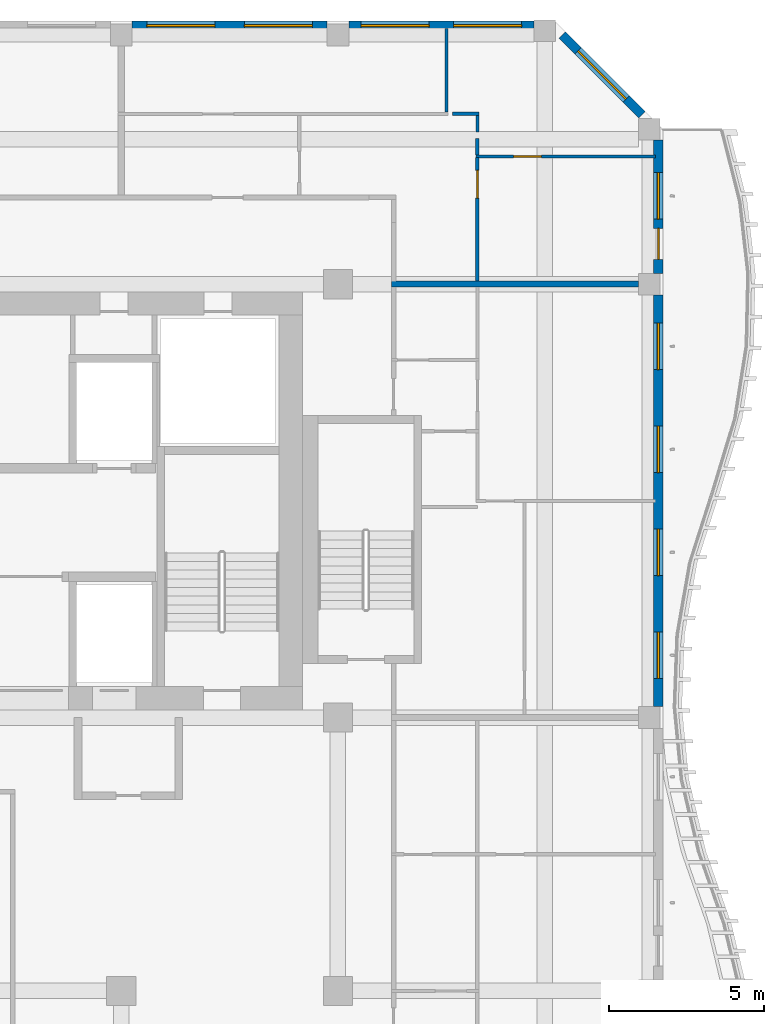
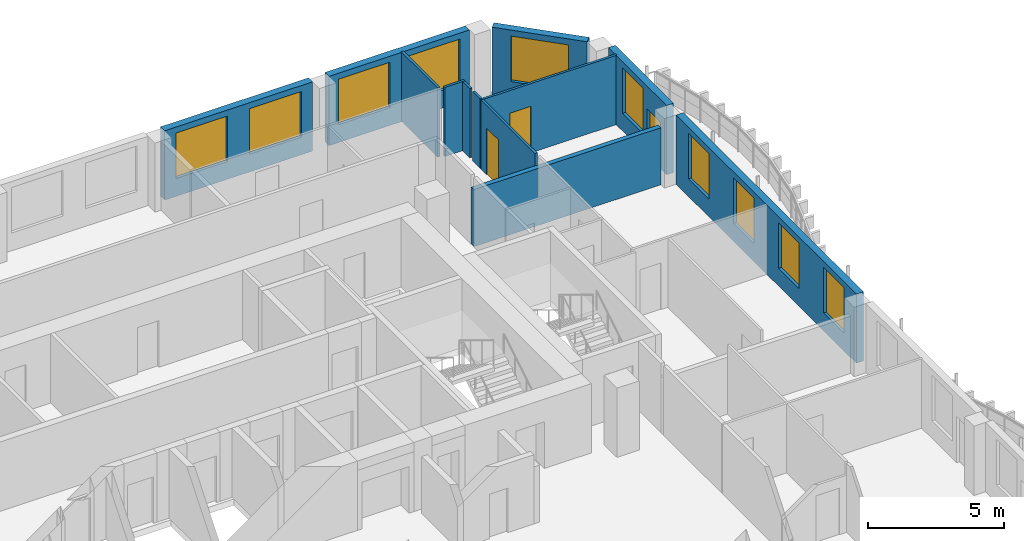
# One storey, part 9 of 19: 12 walls, 10 windows, 3 doors, 13 openings.
"""IFC4 building model written with IfcOpenShell, lengths in metres."""

from ifc_helpers import new_model, si_unit, direction, frame, frame_2d, origin, place, context, subcontext, project, spatial, rectangle, extrude, source, transform, mapped, material, layer, layer_set, type_object, element, fill, save


model = new_model("IFC4")

# Units and contexts
model_context = context("Model", 3, precision=1e-05, world=origin(), true_north=direction((0.0, 1.0)))
body_context = subcontext(model_context, "Body", "Model", "MODEL_VIEW")
ifc_project = project(units=[si_unit("LENGTHUNIT", "METRE"), si_unit("AREAUNIT", "SQUARE_METRE"), si_unit("VOLUMEUNIT", "CUBIC_METRE"), si_unit("PLANEANGLEUNIT", "RADIAN"), si_unit("MASSUNIT", "GRAM", prefix="KILO")], contexts=[model_context])

# Site, building, storey
site_placement = place(None, origin())
site = spatial("IfcSite", under=ifc_project, at=site_placement, CompositionType="ELEMENT")
building_placement = place(site_placement, origin())
building = spatial("IfcBuilding", under=site, at=building_placement, Name="Kilnfold Tower and Market Hall", CompositionType="ELEMENT")
storey_placement = place(building_placement, frame((0.0, 0.0, 245.800048828125)))
storey = spatial("IfcBuildingStorey", under=building, at=storey_placement, Name="L59", CompositionType="ELEMENT", Elevation=245.800048828125)

# Wall, opening, door
ifc_material_1 = material(Name="Gypsum board on steel studs", Category="steel")
ifc_layer_1 = layer(ifc_material_1, 0.10009765625)
ifc_layer_set_1 = layer_set([ifc_layer_1], Name="Gypsum board on steel studs")
wall_type_1 = type_object("IfcWallType", Name="WALL PARTITION 100", PredefinedType="PARTITIONING", material=ifc_layer_set_1)
wall_1_placement = place(storey_placement, frame((23.5, 22.10009765625, 0.0), z_axis=(0.0, 0.0, 1.0), x_axis=(0.0, 1.0, 0.0)))
wall_1 = element("IfcWall", 1, at=wall_1_placement, inside=storey, type_object=wall_type_1, Name="Partition LY36.88", PredefinedType="PARTITIONING", context=body_context, shape_type="SweptSolid", body=[
    extrude(rectangle(XDim=3.98486328125, YDim=0.10009765625, at=frame_2d((1.992431640625, 0.0))), origin(), (0.0, 0.0, 1.0), 3.119873046875),
])
opening_1_placement = place(wall_1_placement, frame((2.677978515625, 0.0, 0.0)))
opening_1 = element("IfcOpeningElement", 2, at=opening_1_placement, cuts=wall_1, Name="Opening D2", PredefinedType="OPENING", context=body_context, shape_type="SweptSolid", body=[
    extrude(rectangle(XDim=0.89990234375, YDim=2.10009765625, at=frame_2d((0.449951171875, 1.050048828125))), frame((0.0, 0.06005859375, 0.0), z_axis=(0.0, -1.0, 0.0), x_axis=(1.0, 0.0, 0.0)), (0.0, 0.0, 1.0), 0.1201171875),
])
ifc_material_2 = material(Name="Timber veneer door leaf in steel frame", Category="steel")
door_type_1 = type_object("IfcDoorType", Name="DOOR ROOM 900 X2100", OperationType="NOTDEFINED", PredefinedType="DOOR", material=ifc_material_2)
door_1_placement = place(opening_1_placement, origin())
door_1 = element("IfcDoor", 3, at=door_1_placement, inside=storey, type_object=door_type_1, Name="Door D2", OperationType="SINGLE_SWING_LEFT", OverallHeight=2.10009765625, OverallWidth=0.89990234375, PredefinedType="DOOR", context=body_context, shape_type="SweptSolid", body=[
    extrude(rectangle(XDim=0.89990234375, YDim=2.10009765625, at=frame_2d((0.449951171875, 1.050048828125))), frame((0.0, 0.02490234375, 0.0), z_axis=(0.0, -1.0, 0.0), x_axis=(1.0, 0.0, 0.0)), (0.0, 0.0, 1.0), 0.050048828125),
])
fill(opening_1, door_1)

# Walls
wall_2_placement = place(storey_placement, frame((23.552001953125, 27.501953125, 0.0), z_axis=(0.0, 0.0, 1.0), x_axis=(-1.0, 0.0, 0.0)))
element("IfcWall", 4, at=wall_2_placement, inside=storey, type_object=wall_type_1, Name="Partition LY36.89", PredefinedType="PARTITIONING", context=body_context, shape_type="SweptSolid", body=[
    extrude(rectangle(XDim=0.85400390625, YDim=0.10009765625, at=frame_2d((0.427001953125, 0.0))), origin(), (0.0, 0.0, 1.0), 3.119873046875),
])
wall_3_placement = place(storey_placement, frame((23.501953125, 26.9169921875, 0.0), z_axis=(0.0, 0.0, 1.0), x_axis=(0.0, 1.0, 0.0)))
element("IfcWall", 5, at=wall_3_placement, inside=storey, type_object=wall_type_1, Name="Partition LY36.90", PredefinedType="PARTITIONING", context=body_context, shape_type="SweptSolid", body=[
    extrude(rectangle(XDim=0.534912109375, YDim=0.10009765625, at=frame_2d((0.267578125, 0.0))), origin(), (0.0, 0.0, 1.0), 3.119873046875),
])
wall_4_placement = place(storey_placement, frame((23.5, 26.1650390625, 0.0), z_axis=(0.0, 0.0, 1.0), x_axis=(0.0, 1.0, 0.0)))
element("IfcWall", 6, at=wall_4_placement, inside=storey, type_object=wall_type_1, Name="Partition LY36.91", PredefinedType="PARTITIONING", context=body_context, shape_type="SweptSolid", body=[
    extrude(rectangle(XDim=0.532958984375, YDim=0.10009765625, at=frame_2d((0.2666015625, 0.0))), origin(), (0.0, 0.0, 1.0), 3.119873046875),
])
wall_5_placement = place(storey_placement, frame((22.5, 27.552001953125, 0.0), z_axis=(0.0, 0.0, 1.0), x_axis=(0.0, 1.0, 0.0)))
element("IfcWall", 7, at=wall_5_placement, inside=storey, type_object=wall_type_1, Name="Partition LY36.92", PredefinedType="PARTITIONING", context=body_context, shape_type="SweptSolid", body=[
    extrude(rectangle(XDim=2.697998046875, YDim=0.10009765625, at=frame_2d((1.34912109375, 0.0))), origin(), (0.0, 0.0, 1.0), 3.119873046875),
])

# Wall, opening, door
wall_6_placement = place(storey_placement, frame((29.25, 26.125, 0.0), z_axis=(0.0, 0.0, 1.0), x_axis=(-1.0, 0.0, 0.0)))
wall_6 = element("IfcWall", 8, at=wall_6_placement, inside=storey, type_object=wall_type_1, Name="Partition LY36.94", PredefinedType="PARTITIONING", context=body_context, shape_type="SweptSolid", body=[
    extrude(rectangle(XDim=5.798095703125, YDim=0.10009765625, at=frame_2d((2.89892578125, 0.0))), origin(), (0.0, 0.0, 1.0), 3.119873046875),
])
opening_2_placement = place(wall_6_placement, frame((3.676025390625, 0.0, 0.0)))
opening_2 = element("IfcOpeningElement", 9, at=opening_2_placement, cuts=wall_6, Name="Opening D2", PredefinedType="OPENING", context=body_context, shape_type="SweptSolid", body=[
    extrude(rectangle(XDim=0.89990234375, YDim=2.10009765625, at=frame_2d((0.449951171875, 1.050048828125))), frame((0.0, 0.06005859375, 0.0), z_axis=(0.0, -1.0, 0.0), x_axis=(1.0, 0.0, 0.0)), (0.0, 0.0, 1.0), 0.1201171875),
])
door_2_placement = place(opening_2_placement, origin())
door_2 = element("IfcDoor", 10, at=door_2_placement, inside=storey, type_object=door_type_1, Name="Door D2", OperationType="SINGLE_SWING_LEFT", OverallHeight=2.10009765625, OverallWidth=0.89990234375, PredefinedType="DOOR", context=body_context, shape_type="SweptSolid", body=[
    extrude(rectangle(XDim=0.89990234375, YDim=2.10009765625, at=frame_2d((0.449951171875, 1.050048828125))), frame((0.0, 0.02490234375, 0.0), z_axis=(0.0, -1.0, 0.0), x_axis=(1.0, 0.0, 0.0)), (0.0, 0.0, 1.0), 0.050048828125),
])
fill(opening_2, door_2)

# Wall
ifc_material_3 = material(Name="Gypsum board on steel studs", Category="steel")
ifc_layer_2 = layer(ifc_material_3, 0.199951171875)
ifc_layer_set_2 = layer_set([ifc_layer_2], Name="Gypsum board on steel studs")
wall_type_2 = type_object("IfcWallType", Name="WALL PARTY 200", PredefinedType="PARTITIONING", material=ifc_layer_set_2)
wall_7_placement = place(storey_placement, frame((20.72705078125, 22.0, 0.0), z_axis=(0.0, 0.0, 1.0), x_axis=(1.0, 0.0, 0.0)))
element("IfcWall", 11, at=wall_7_placement, inside=storey, type_object=wall_type_2, Name="Partition LY36.84", PredefinedType="PARTITIONING", context=body_context, shape_type="SweptSolid", body=[
    extrude(rectangle(XDim=7.972900390625, YDim=0.199951171875, at=frame_2d((3.986328125, 0.0))), origin(), (0.0, 0.0, 1.0), 2.570068359375),
])

# Wall, openings, windows
ifc_material_4 = material(Name="Precast concrete C50/60", Category="concrete")
ifc_layer_3 = layer(ifc_material_4, 0.300048828125)
ifc_layer_set_3 = layer_set([ifc_layer_3], Name="Precast concrete C50/60")
wall_type_3 = type_object("IfcWallType", Name="PRECAST WALL 300", PredefinedType="SOLIDWALL", material=ifc_layer_set_3)
shared_shape_1 = source(origin(), body_context, "Body", "SweptSolid", [
    extrude(rectangle(XDim=6.2998046875, YDim=0.300048828125, at=frame_2d((3.14990234375, 0.0))), origin(), (0.0, 0.0, 1.0), 3.119873046875),
])
wall_8_placement = place(storey_placement, frame((18.64990234375, 30.35009765625, 0.0), z_axis=(0.0, 0.0, 1.0), x_axis=(-1.0, 0.0, 0.0)))
wall_8 = element("IfcWall", 12, at=wall_8_placement, inside=storey, type_object=wall_type_3, Name="External wall L59 N", PredefinedType="SOLIDWALL", context=body_context, shape_type="MappedRepresentation", body=[
    mapped(shared_shape_1, transform((0.0, 0.0, 0.0))),
])
opening_3_placement = place(wall_8_placement, frame((0.47509765625, 0.0, 0.800048828125)))
opening_3 = element("IfcOpeningElement", 13, at=opening_3_placement, cuts=wall_8, Name="Opening W3", PredefinedType="OPENING", context=body_context, shape_type="SweptSolid", body=[
    extrude(rectangle(XDim=2.199951171875, YDim=2.050048828125, at=frame_2d((1.10009765625, 1.02490234375))), frame((0.0, 0.16015625, 0.0), z_axis=(0.0, -1.0, 0.0), x_axis=(1.0, 0.0, 0.0)), (0.0, 0.0, 1.0), 0.320068359375),
])
opening_4_placement = place(wall_8_placement, frame((3.625, 0.0, 0.800048828125)))
opening_4 = element("IfcOpeningElement", 14, at=opening_4_placement, cuts=wall_8, Name="Opening W3", PredefinedType="OPENING", context=body_context, shape_type="SweptSolid", body=[
    extrude(rectangle(XDim=2.199951171875, YDim=2.050048828125, at=frame_2d((1.10009765625, 1.02490234375))), frame((0.0, 0.16015625, 0.0), z_axis=(0.0, -1.0, 0.0), x_axis=(1.0, 0.0, 0.0)), (0.0, 0.0, 1.0), 0.320068359375),
])
ifc_material_5 = material(Name="Aluminium frame and double glazing", Category="aluminium")
window_type_1 = type_object("IfcWindowType", Name="WINDOW W3 2200X2050", PartitioningType="SINGLE_PANEL", PredefinedType="WINDOW", material=ifc_material_5)
window_1_placement = place(opening_3_placement, origin())
window_1 = element("IfcWindow", 15, at=window_1_placement, inside=storey, type_object=window_type_1, Name="Window W3 L59 N-1", OverallHeight=2.050048828125, OverallWidth=2.199951171875, PartitioningType="SINGLE_PANEL", PredefinedType="WINDOW", context=body_context, shape_type="SweptSolid", body=[
    extrude(rectangle(XDim=2.199951171875, YDim=2.050048828125, at=frame_2d((1.10009765625, 1.02490234375))), frame((0.0, 0.030029296875, 0.0), z_axis=(0.0, -1.0, 0.0), x_axis=(1.0, 0.0, 0.0)), (0.0, 0.0, 1.0), 0.06005859375),
])
fill(opening_3, window_1)
window_2_placement = place(opening_4_placement, origin())
window_2 = element("IfcWindow", 16, at=window_2_placement, inside=storey, type_object=window_type_1, Name="Window W3 L59 N-2", OverallHeight=2.050048828125, OverallWidth=2.199951171875, PartitioningType="SINGLE_PANEL", PredefinedType="WINDOW", context=body_context, shape_type="SweptSolid", body=[
    extrude(rectangle(XDim=2.199951171875, YDim=2.050048828125, at=frame_2d((1.10009765625, 1.02490234375))), frame((0.0, 0.030029296875, 0.0), z_axis=(0.0, -1.0, 0.0), x_axis=(1.0, 0.0, 0.0)), (0.0, 0.0, 1.0), 0.06005859375),
])
fill(opening_4, window_2)

# Wall, opening, window
shared_shape_2 = source(origin(), body_context, "Body", "SweptSolid", [
    extrude(rectangle(XDim=3.6416015625, YDim=0.300048828125, at=frame_2d((1.82080078125, 0.0))), origin(), (0.0, 0.0, 1.0), 3.119873046875),
])
wall_9_placement = place(storey_placement, frame((28.81884765625, 27.468994140625, 0.0), z_axis=(0.0, 0.0, 1.0), x_axis=(-0.707106781187, 0.707106781187, 0.0)))
wall_9 = element("IfcWall", 17, at=wall_9_placement, inside=storey, type_object=wall_type_3, Name="External wall L59 NE", PredefinedType="SOLIDWALL", context=body_context, shape_type="MappedRepresentation", body=[
    mapped(shared_shape_2, transform((0.0, 0.0, 0.0))),
])
opening_5_placement = place(wall_9_placement, frame((0.720703125, 0.0, 0.800048828125)))
opening_5 = element("IfcOpeningElement", 18, at=opening_5_placement, cuts=wall_9, Name="Opening W3", PredefinedType="OPENING", context=body_context, shape_type="SweptSolid", body=[
    extrude(rectangle(XDim=2.199951171875, YDim=2.050048828125, at=frame_2d((1.10009765625, 1.02490234375))), frame((0.0, 0.16015625, 0.0), z_axis=(0.0, -1.0, 0.0), x_axis=(1.0, 0.0, 0.0)), (0.0, 0.0, 1.0), 0.320068359375),
])
window_3_placement = place(opening_5_placement, origin())
window_3 = element("IfcWindow", 19, at=window_3_placement, inside=storey, type_object=window_type_1, Name="Window W3 L59 NE-1", OverallHeight=2.050048828125, OverallWidth=2.199951171875, PartitioningType="SINGLE_PANEL", PredefinedType="WINDOW", context=body_context, shape_type="SweptSolid", body=[
    extrude(rectangle(XDim=2.199951171875, YDim=2.050048828125, at=frame_2d((1.10009765625, 1.02490234375))), frame((0.0, 0.030029296875, 0.0), z_axis=(0.0, -1.0, 0.0), x_axis=(1.0, 0.0, 0.0)), (0.0, 0.0, 1.0), 0.06005859375),
])
fill(opening_5, window_3)

# Wall, openings, windows
shared_shape_3 = source(origin(), body_context, "Body", "SweptSolid", [
    extrude(rectangle(XDim=13.2998046875, YDim=0.300048828125, at=frame_2d((6.64990234375, 0.0))), origin(), (0.0, 0.0, 1.0), 3.119873046875),
])
wall_10_placement = place(storey_placement, frame((29.35009765625, 8.35009765625, 0.0), z_axis=(0.0, 0.0, 1.0), x_axis=(0.0, 1.0, 0.0)))
wall_10 = element("IfcWall", 20, at=wall_10_placement, inside=storey, type_object=wall_type_3, Name="External wall L59 E", PredefinedType="SOLIDWALL", context=body_context, shape_type="MappedRepresentation", body=[
    mapped(shared_shape_3, transform((0.0, 0.0, 0.0))),
])
opening_6_placement = place(wall_10_placement, frame((0.91259765625, 0.0, 0.800048828125)))
opening_6 = element("IfcOpeningElement", 21, at=opening_6_placement, cuts=wall_10, Name="Opening W5", PredefinedType="OPENING", context=body_context, shape_type="SweptSolid", body=[
    extrude(rectangle(XDim=1.5, YDim=2.050048828125, at=frame_2d((0.75, 1.02490234375))), frame((0.0, 0.16015625, 0.0), z_axis=(0.0, -1.0, 0.0), x_axis=(1.0, 0.0, 0.0)), (0.0, 0.0, 1.0), 0.320068359375),
])
opening_7_placement = place(wall_10_placement, frame((4.237548828125, 0.0, 0.800048828125)))
opening_7 = element("IfcOpeningElement", 22, at=opening_7_placement, cuts=wall_10, Name="Opening W5", PredefinedType="OPENING", context=body_context, shape_type="SweptSolid", body=[
    extrude(rectangle(XDim=1.5, YDim=2.050048828125, at=frame_2d((0.75, 1.02490234375))), frame((0.0, 0.16015625, 0.0), z_axis=(0.0, -1.0, 0.0), x_axis=(1.0, 0.0, 0.0)), (0.0, 0.0, 1.0), 0.320068359375),
])
opening_8_placement = place(wall_10_placement, frame((7.5625, 0.0, 0.800048828125)))
opening_8 = element("IfcOpeningElement", 23, at=opening_8_placement, cuts=wall_10, Name="Opening W5", PredefinedType="OPENING", context=body_context, shape_type="SweptSolid", body=[
    extrude(rectangle(XDim=1.5, YDim=2.050048828125, at=frame_2d((0.75, 1.02490234375))), frame((0.0, 0.16015625, 0.0), z_axis=(0.0, -1.0, 0.0), x_axis=(1.0, 0.0, 0.0)), (0.0, 0.0, 1.0), 0.320068359375),
])
opening_9_placement = place(wall_10_placement, frame((10.887451171875, 0.0, 0.800048828125)))
opening_9 = element("IfcOpeningElement", 24, at=opening_9_placement, cuts=wall_10, Name="Opening W5", PredefinedType="OPENING", context=body_context, shape_type="SweptSolid", body=[
    extrude(rectangle(XDim=1.5, YDim=2.050048828125, at=frame_2d((0.75, 1.02490234375))), frame((0.0, 0.16015625, 0.0), z_axis=(0.0, -1.0, 0.0), x_axis=(1.0, 0.0, 0.0)), (0.0, 0.0, 1.0), 0.320068359375),
])
ifc_material_6 = material(Name="Aluminium frame and double glazing", Category="aluminium")
window_type_2 = type_object("IfcWindowType", Name="WINDOW W5 1500X2050", PartitioningType="SINGLE_PANEL", PredefinedType="WINDOW", material=ifc_material_6)
window_4_placement = place(opening_6_placement, origin())
window_4 = element("IfcWindow", 25, at=window_4_placement, inside=storey, type_object=window_type_2, Name="Window W5 L59 E-1", OverallHeight=2.050048828125, OverallWidth=1.5, PartitioningType="SINGLE_PANEL", PredefinedType="WINDOW", context=body_context, shape_type="SweptSolid", body=[
    extrude(rectangle(XDim=1.5, YDim=2.050048828125, at=frame_2d((0.75, 1.02490234375))), frame((0.0, 0.030029296875, 0.0), z_axis=(0.0, -1.0, 0.0), x_axis=(1.0, 0.0, 0.0)), (0.0, 0.0, 1.0), 0.06005859375),
])
fill(opening_6, window_4)
window_5_placement = place(opening_7_placement, origin())
window_5 = element("IfcWindow", 26, at=window_5_placement, inside=storey, type_object=window_type_2, Name="Window W5 L59 E-2", OverallHeight=2.050048828125, OverallWidth=1.5, PartitioningType="SINGLE_PANEL", PredefinedType="WINDOW", context=body_context, shape_type="SweptSolid", body=[
    extrude(rectangle(XDim=1.5, YDim=2.050048828125, at=frame_2d((0.75, 1.02490234375))), frame((0.0, 0.030029296875, 0.0), z_axis=(0.0, -1.0, 0.0), x_axis=(1.0, 0.0, 0.0)), (0.0, 0.0, 1.0), 0.06005859375),
])
fill(opening_7, window_5)
window_6_placement = place(opening_8_placement, origin())
window_6 = element("IfcWindow", 27, at=window_6_placement, inside=storey, type_object=window_type_2, Name="Window W5 L59 E-3", OverallHeight=2.050048828125, OverallWidth=1.5, PartitioningType="SINGLE_PANEL", PredefinedType="WINDOW", context=body_context, shape_type="SweptSolid", body=[
    extrude(rectangle(XDim=1.5, YDim=2.050048828125, at=frame_2d((0.75, 1.02490234375))), frame((0.0, 0.030029296875, 0.0), z_axis=(0.0, -1.0, 0.0), x_axis=(1.0, 0.0, 0.0)), (0.0, 0.0, 1.0), 0.06005859375),
])
fill(opening_8, window_6)
window_7_placement = place(opening_9_placement, origin())
window_7 = element("IfcWindow", 28, at=window_7_placement, inside=storey, type_object=window_type_2, Name="Window W5 L59 E-4", OverallHeight=2.050048828125, OverallWidth=1.5, PartitioningType="SINGLE_PANEL", PredefinedType="WINDOW", context=body_context, shape_type="SweptSolid", body=[
    extrude(rectangle(XDim=1.5, YDim=2.050048828125, at=frame_2d((0.75, 1.02490234375))), frame((0.0, 0.030029296875, 0.0), z_axis=(0.0, -1.0, 0.0), x_axis=(1.0, 0.0, 0.0)), (0.0, 0.0, 1.0), 0.06005859375),
])
fill(opening_9, window_7)

# Wall, openings, door, window
shared_shape_4 = source(origin(), body_context, "Body", "SweptSolid", [
    extrude(rectangle(XDim=4.2998046875, YDim=0.300048828125, at=frame_2d((2.14990234375, 0.0))), origin(), (0.0, 0.0, 1.0), 3.119873046875),
])
wall_11_placement = place(storey_placement, frame((29.35009765625, 22.35009765625, 0.0), z_axis=(0.0, 0.0, 1.0), x_axis=(0.0, 1.0, 0.0)))
wall_11 = element("IfcWall", 29, at=wall_11_placement, inside=storey, type_object=wall_type_3, Name="External wall L59 E", PredefinedType="SOLIDWALL", context=body_context, shape_type="MappedRepresentation", body=[
    mapped(shared_shape_4, transform((0.0, 0.0, 0.0))),
])
opening_10_placement = place(wall_11_placement, frame((1.75, 0.0, 0.800048828125)))
opening_10 = element("IfcOpeningElement", 30, at=opening_10_placement, cuts=wall_11, Name="Opening W5", PredefinedType="OPENING", context=body_context, shape_type="SweptSolid", body=[
    extrude(rectangle(XDim=1.5, YDim=2.050048828125, at=frame_2d((0.75, 1.02490234375))), frame((0.0, 0.16015625, 0.0), z_axis=(0.0, -1.0, 0.0), x_axis=(1.0, 0.0, 0.0)), (0.0, 0.0, 1.0), 0.320068359375),
])
opening_11_placement = place(wall_11_placement, frame((0.449951171875, 0.0, 0.0)))
opening_11 = element("IfcOpeningElement", 31, at=opening_11_placement, cuts=wall_11, Name="Opening BD1", PredefinedType="OPENING", context=body_context, shape_type="SweptSolid", body=[
    extrude(rectangle(XDim=1.0, YDim=2.10009765625, at=frame_2d((0.5, 1.050048828125))), frame((0.0, 0.16015625, 0.0), z_axis=(0.0, -1.0, 0.0), x_axis=(1.0, 0.0, 0.0)), (0.0, 0.0, 1.0), 0.320068359375),
])
ifc_material_7 = material(Name="Aluminium frame and double glazing", Category="aluminium")
door_type_2 = type_object("IfcDoorType", Name="BALCONY DOOR 1000X2100", OperationType="NOTDEFINED", PredefinedType="DOOR", material=ifc_material_7)
door_3_placement = place(opening_11_placement, origin())
door_3 = element("IfcDoor", 32, at=door_3_placement, inside=storey, type_object=door_type_2, Name="Balcony door BD1 L59 E-1", OperationType="SINGLE_SWING_LEFT", OverallHeight=2.10009765625, OverallWidth=1.0, PredefinedType="DOOR", context=body_context, shape_type="SweptSolid", body=[
    extrude(rectangle(XDim=1.0, YDim=2.10009765625, at=frame_2d((0.5, 1.050048828125))), frame((0.0, 0.02490234375, 0.0), z_axis=(0.0, -1.0, 0.0), x_axis=(1.0, 0.0, 0.0)), (0.0, 0.0, 1.0), 0.050048828125),
])
fill(opening_11, door_3)
window_8_placement = place(opening_10_placement, origin())
window_8 = element("IfcWindow", 33, at=window_8_placement, inside=storey, type_object=window_type_2, Name="Window W5 L59 E-1", OverallHeight=2.050048828125, OverallWidth=1.5, PartitioningType="SINGLE_PANEL", PredefinedType="WINDOW", context=body_context, shape_type="SweptSolid", body=[
    extrude(rectangle(XDim=1.5, YDim=2.050048828125, at=frame_2d((0.75, 1.02490234375))), frame((0.0, 0.030029296875, 0.0), z_axis=(0.0, -1.0, 0.0), x_axis=(1.0, 0.0, 0.0)), (0.0, 0.0, 1.0), 0.06005859375),
])
fill(opening_10, window_8)

# Wall, openings, windows
shared_shape_5 = source(origin(), body_context, "Body", "SweptSolid", [
    extrude(rectangle(XDim=5.981689453125, YDim=0.300048828125, at=frame_2d((2.99072265625, 0.0))), origin(), (0.0, 0.0, 1.0), 3.119873046875),
])
wall_12_placement = place(storey_placement, frame((25.331787109375, 30.35009765625, 0.0), z_axis=(0.0, 0.0, 1.0), x_axis=(-1.0, 0.0, 0.0)))
wall_12 = element("IfcWall", 34, at=wall_12_placement, inside=storey, type_object=wall_type_3, Name="External wall L59 N", PredefinedType="SOLIDWALL", context=body_context, shape_type="MappedRepresentation", body=[
    mapped(shared_shape_5, transform((0.0, 0.0, 0.0))),
])
opening_12_placement = place(wall_12_placement, frame((0.3955078125, 0.0, 0.800048828125)))
opening_12 = element("IfcOpeningElement", 35, at=opening_12_placement, cuts=wall_12, Name="Opening W3", PredefinedType="OPENING", context=body_context, shape_type="SweptSolid", body=[
    extrude(rectangle(XDim=2.199951171875, YDim=2.050048828125, at=frame_2d((1.10009765625, 1.02490234375))), frame((0.0, 0.16015625, 0.0), z_axis=(0.0, -1.0, 0.0), x_axis=(1.0, 0.0, 0.0)), (0.0, 0.0, 1.0), 0.320068359375),
])
opening_13_placement = place(wall_12_placement, frame((3.386474609375, 0.0, 0.800048828125)))
opening_13 = element("IfcOpeningElement", 36, at=opening_13_placement, cuts=wall_12, Name="Opening W3", PredefinedType="OPENING", context=body_context, shape_type="SweptSolid", body=[
    extrude(rectangle(XDim=2.199951171875, YDim=2.050048828125, at=frame_2d((1.10009765625, 1.02490234375))), frame((0.0, 0.16015625, 0.0), z_axis=(0.0, -1.0, 0.0), x_axis=(1.0, 0.0, 0.0)), (0.0, 0.0, 1.0), 0.320068359375),
])
window_9_placement = place(opening_12_placement, origin())
window_9 = element("IfcWindow", 37, at=window_9_placement, inside=storey, type_object=window_type_1, Name="Window W3 L59 N-1", OverallHeight=2.050048828125, OverallWidth=2.199951171875, PartitioningType="SINGLE_PANEL", PredefinedType="WINDOW", context=body_context, shape_type="SweptSolid", body=[
    extrude(rectangle(XDim=2.199951171875, YDim=2.050048828125, at=frame_2d((1.10009765625, 1.02490234375))), frame((0.0, 0.030029296875, 0.0), z_axis=(0.0, -1.0, 0.0), x_axis=(1.0, 0.0, 0.0)), (0.0, 0.0, 1.0), 0.06005859375),
])
fill(opening_12, window_9)
window_10_placement = place(opening_13_placement, origin())
window_10 = element("IfcWindow", 38, at=window_10_placement, inside=storey, type_object=window_type_1, Name="Window W3 L59 N-2", OverallHeight=2.050048828125, OverallWidth=2.199951171875, PartitioningType="SINGLE_PANEL", PredefinedType="WINDOW", context=body_context, shape_type="SweptSolid", body=[
    extrude(rectangle(XDim=2.199951171875, YDim=2.050048828125, at=frame_2d((1.10009765625, 1.02490234375))), frame((0.0, 0.030029296875, 0.0), z_axis=(0.0, -1.0, 0.0), x_axis=(1.0, 0.0, 0.0)), (0.0, 0.0, 1.0), 0.06005859375),
])
fill(opening_13, window_10)

save(model, "model.ifc")
